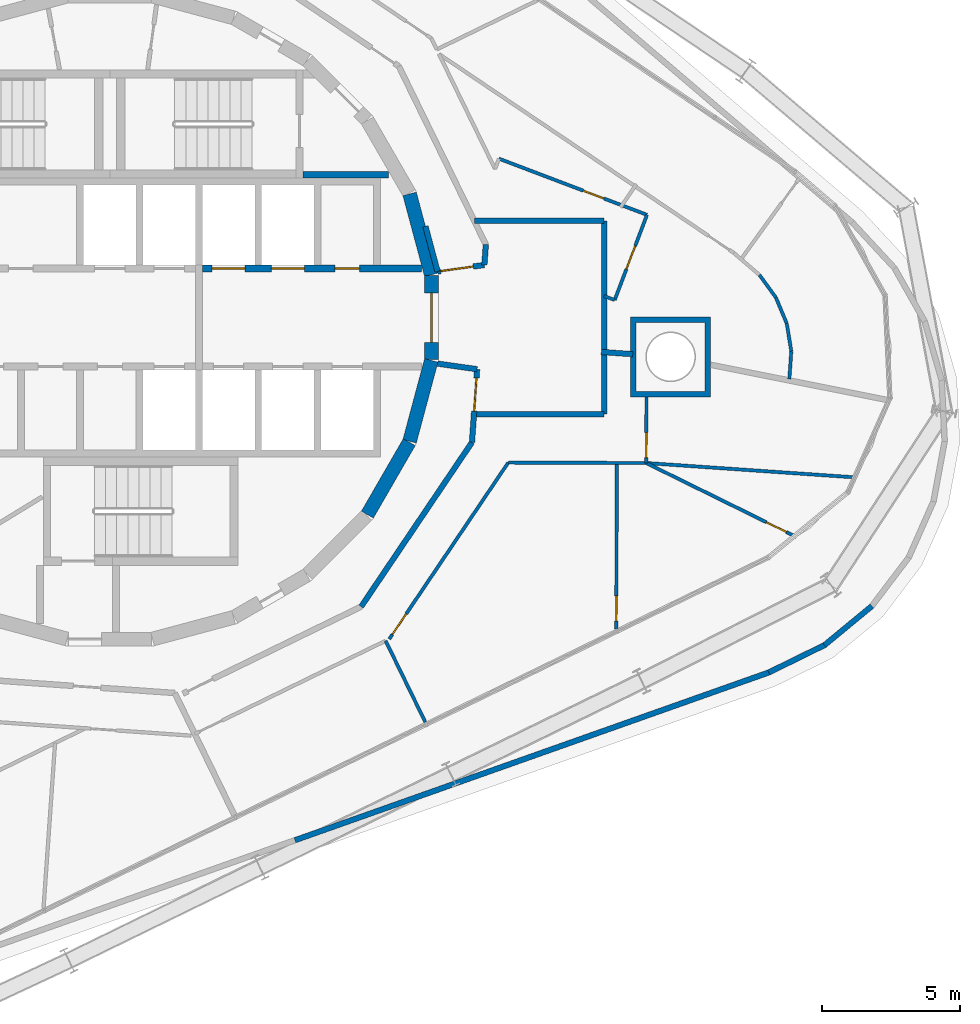
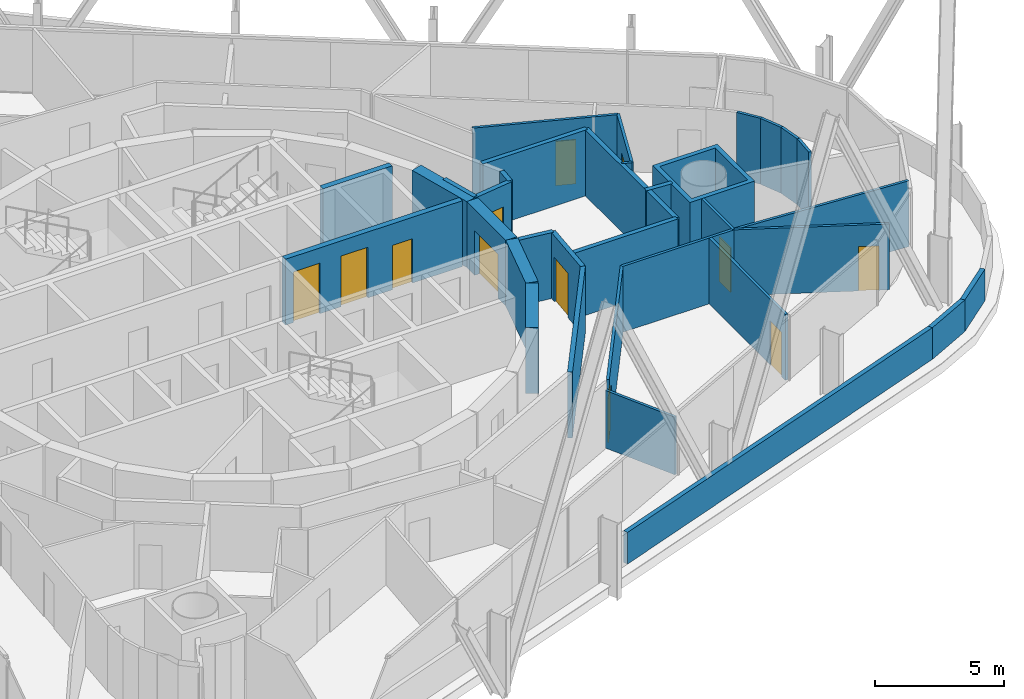
# One storey, part 14 of 18: 34 walls, 12 doors, 12 openings.
"""IFC4 building model written with IfcOpenShell, lengths in metres."""

from ifc_helpers import new_model, si_unit, direction, frame, frame_2d, origin, place, context, subcontext, project, spatial, polyline, rectangle, outline, extrude, material, layer, layer_set, type_object, element, fill, save


model = new_model("IFC4")

# Units and contexts
model_context = context("Model", 3, precision=1e-05, world=origin(), true_north=direction((0.0, 1.0)))
body_context = subcontext(model_context, "Body", "Model", "MODEL_VIEW")
ifc_project = project(units=[si_unit("LENGTHUNIT", "METRE"), si_unit("AREAUNIT", "SQUARE_METRE"), si_unit("VOLUMEUNIT", "CUBIC_METRE"), si_unit("PLANEANGLEUNIT", "RADIAN"), si_unit("MASSUNIT", "GRAM", prefix="KILO")], contexts=[model_context])

# Site, building, storey
site_placement = place(None, origin())
site = spatial("IfcSite", under=ifc_project, at=site_placement, CompositionType="ELEMENT")
building_placement = place(site_placement, origin())
building = spatial("IfcBuilding", under=site, at=building_placement, Name="Spindle Arch Residences", CompositionType="ELEMENT")
storey_placement = place(building_placement, frame((0.0, 0.0, 188.39990234375)))
storey = spatial("IfcBuildingStorey", under=building, at=storey_placement, Name="L47", CompositionType="ELEMENT", Elevation=188.39990234375)

# Walls
ifc_material_1 = material(Name="Concrete C50/60", Category="concrete")
ifc_layer_1 = layer(ifc_material_1, 0.5)
ifc_layer_set_1 = layer_set([ifc_layer_1], Name="Core outline wall 500")
wall_type_1 = type_object("IfcWallType", Name="Core outline wall 500", PredefinedType="SHEAR", material=ifc_layer_set_1)
for number, where, z_axis, x_axis, name in (
    (1, (9.32861328125, -7.13671875, 0.0), (0.0, 0.0, 1.0), (0.500087131594, 0.865975092491, 0.0), "Core outline wall 4"),
    (2, (10.858154296875, -4.479248046875, 0.0), (0.0, 0.0, 1.0), (0.258734743916, 0.965948410781, 0.0), "Core outline wall 5"),
):
    element("IfcWall", number, at=place(storey_placement, frame(where, z_axis=z_axis, x_axis=x_axis)), inside=storey, type_object=wall_type_1, Name=name, PredefinedType="SHEAR", context=body_context, shape_type="SweptSolid", body=[
        extrude(rectangle(XDim=3.03271484375, YDim=0.5, at=frame_2d((1.516357421875, 0.0))), origin(), (0.0, 0.0, 1.0), 3.1201171875),
    ])

# Wall, opening, door
wall_1_placement = place(storey_placement, frame((11.647216796875, -1.516357421875, 0.0), z_axis=(0.0, 0.0, 1.0), x_axis=(0.0, 1.0, 0.0)))
wall_1 = element("IfcWall", 3, at=wall_1_placement, inside=storey, type_object=wall_type_1, Name="Core outline wall 6", PredefinedType="SHEAR", context=body_context, shape_type="SweptSolid", body=[
    extrude(rectangle(XDim=3.03271484375, YDim=0.5, at=frame_2d((1.516357421875, 0.0))), origin(), (0.0, 0.0, 1.0), 3.1201171875),
])
opening_1_placement = place(wall_1_placement, frame((0.6162109375, 0.0, 0.0)))
opening_1 = element("IfcOpeningElement", 4, at=opening_1_placement, cuts=wall_1, Name="Opening R5A0-FE01", PredefinedType="OPENING", context=body_context, shape_type="SweptSolid", body=[
    extrude(rectangle(XDim=1.800048828125, YDim=2.10009765625, at=frame_2d((0.89990234375, 1.050048828125))), frame((0.0, 0.260009765625, 0.0), z_axis=(0.0, -1.0, 0.0), x_axis=(1.0, 0.0, 0.0)), (0.0, 0.0, 1.0), 0.52001953125),
])
ifc_material_2 = material(Name="Steel, fire-resisting door", Category="steel")
door_type_1 = type_object("IfcDoorType", Name="Fire-lift lobby door 1800x2100", OperationType="DOUBLE_DOOR_SINGLE_SWING", PredefinedType="DOOR", material=ifc_material_2)
door_1_placement = place(opening_1_placement, origin())
door_1 = element("IfcDoor", 5, at=door_1_placement, inside=storey, type_object=door_type_1, Name="Fire-lift lobby door R5A0-FE01", OperationType="DOUBLE_DOOR_SINGLE_SWING", OverallHeight=2.10009765625, OverallWidth=1.800048828125, PredefinedType="DOOR", context=body_context, shape_type="SweptSolid", body=[
    extrude(rectangle(XDim=1.800048828125, YDim=2.10009765625, at=frame_2d((0.89990234375, 1.050048828125))), frame((0.0, 0.02490234375, 0.0), z_axis=(0.0, -1.0, 0.0), x_axis=(1.0, 0.0, 0.0)), (0.0, 0.0, 1.0), 0.050048828125),
])
fill(opening_1, door_1)

# Walls
wall_2_placement = place(storey_placement, frame((11.642822265625, 1.5498046875, 0.0), z_axis=(0.0, 0.0, 1.0), x_axis=(-0.258734743916, 0.965948410781, 0.0)))
element("IfcWall", 6, at=wall_2_placement, inside=storey, type_object=wall_type_1, Name="Core outline wall 7", PredefinedType="SHEAR", context=body_context, shape_type="SweptSolid", body=[
    extrude(rectangle(XDim=3.03271484375, YDim=0.5, at=frame_2d((1.516357421875, 0.0))), origin(), (0.0, 0.0, 1.0), 3.1201171875),
])
ifc_material_3 = material(Name="Calcium silicate block, plastered")
ifc_layer_2 = layer(ifc_material_3, 0.199951171875)
ifc_layer_set_2 = layer_set([ifc_layer_2], Name="Corridor wall 200")
wall_type_2 = type_object("IfcWallType", Name="Corridor wall 200", PredefinedType="STANDARD", material=ifc_layer_set_2)
wall_3_placement = place(storey_placement, frame((9.101318359375, -10.469970703125, 0.0), z_axis=(0.0, 0.0, 1.0), x_axis=(0.559195469534, 0.829035841718, 0.0)))
element("IfcWall", 7, at=wall_3_placement, inside=storey, type_object=wall_type_2, Name="Corridor wall R5A0-W020", PredefinedType="STANDARD", context=body_context, shape_type="SweptSolid", body=[
    extrude(rectangle(XDim=7.18115234375, YDim=0.199951171875, at=frame_2d((3.590576171875, 0.0))), origin(), (0.0, 0.0, 1.0), 3.1201171875),
])
ifc_material_4 = material(Name="Calcium silicate block, plastered")
ifc_layer_3 = layer(ifc_material_4, 0.199951171875)
ifc_layer_set_3 = layer_set([ifc_layer_3], Name="Fire-lift lobby bay wall 200")
wall_type_3 = type_object("IfcWallType", Name="Fire-lift lobby bay wall 200", PredefinedType="STANDARD", material=ifc_layer_set_3)
wall_4_placement = place(storey_placement, frame((11.8701171875, 1.668212890625, 0.0), z_axis=(0.0, 0.0, 1.0), x_axis=(-0.258836880648, 0.965921047093, 0.0)))
element("IfcWall", 8, at=wall_4_placement, inside=storey, type_object=wall_type_3, Name="Fire-lift lobby bay wall R5A0-W001", PredefinedType="STANDARD", context=body_context, shape_type="SweptSolid", body=[
    extrude(rectangle(XDim=1.695068359375, YDim=0.199951171875, at=frame_2d((0.84765625, 0.0))), origin(), (0.0, 0.0, 1.0), 3.1201171875),
])

# Wall, opening, door
wall_5_placement = place(storey_placement, frame((11.8701171875, 1.668212890625, 0.0), z_axis=(0.0, 0.0, 1.0), x_axis=(0.990271931984, 0.139145609792, 0.0)))
wall_5 = element("IfcWall", 9, at=wall_5_placement, inside=storey, type_object=wall_type_3, Name="Fire-lift lobby bay wall R5A0-W002", PredefinedType="STANDARD", context=body_context, shape_type="SweptSolid", body=[
    extrude(rectangle(XDim=1.71240234375, YDim=0.199951171875, at=frame_2d((0.856201171875, 0.0))), origin(), (0.0, 0.0, 1.0), 3.1201171875),
])
opening_2_placement = place(wall_5_placement, frame((0.110107421875, 0.0, 0.0)))
opening_2 = element("IfcOpeningElement", 10, at=opening_2_placement, cuts=wall_5, Name="Opening R5A0-CD01", PredefinedType="OPENING", context=body_context, shape_type="SweptSolid", body=[
    extrude(rectangle(XDim=1.199951171875, YDim=2.10009765625, at=frame_2d((0.60009765625, 1.050048828125))), frame((0.0, 0.10986328125, 0.0), z_axis=(0.0, -1.0, 0.0), x_axis=(1.0, 0.0, 0.0)), (0.0, 0.0, 1.0), 0.219970703125),
])
ifc_material_5 = material(Name="Steel, fire-resisting door", Category="steel")
door_type_2 = type_object("IfcDoorType", Name="Corridor division door 1200x2100", OperationType="NOTDEFINED", PredefinedType="DOOR", material=ifc_material_5)
door_2_placement = place(opening_2_placement, origin())
door_2 = element("IfcDoor", 11, at=door_2_placement, inside=storey, type_object=door_type_2, Name="Corridor division door R5A0-CD01", OperationType="DOUBLE_DOOR_SINGLE_SWING", OverallHeight=2.10009765625, OverallWidth=1.199951171875, PredefinedType="DOOR", context=body_context, shape_type="SweptSolid", body=[
    extrude(rectangle(XDim=1.199951171875, YDim=2.10009765625, at=frame_2d((0.60009765625, 1.050048828125))), frame((0.0, 0.02490234375, 0.0), z_axis=(0.0, -1.0, 0.0), x_axis=(1.0, 0.0, 0.0)), (0.0, 0.0, 1.0), 0.050048828125),
])
fill(opening_2, door_2)

# Wall
wall_6_placement = place(storey_placement, frame((13.56591796875, 1.906494140625, 0.0), z_axis=(0.0, 0.0, 1.0), x_axis=(0.07005495793, 0.997543133338, 0.0)))
element("IfcWall", 12, at=wall_6_placement, inside=storey, type_object=wall_type_3, Name="Fire-lift lobby bay wall R5A0-W003", PredefinedType="STANDARD", context=body_context, shape_type="SweptSolid", body=[
    extrude(rectangle(XDim=0.7421875, YDim=0.199951171875, at=frame_2d((0.37109375, 0.0))), origin(), (0.0, 0.0, 1.0), 3.1201171875),
])

# Wall, opening, door
wall_7_placement = place(storey_placement, frame((13.116943359375, -4.5166015625, 0.0), z_axis=(0.0, 0.0, 1.0), x_axis=(0.069736659613, 0.997565435601, 0.0)))
wall_7 = element("IfcWall", 13, at=wall_7_placement, inside=storey, type_object=wall_type_3, Name="Fire-lift lobby bay wall R5A0-W013", PredefinedType="STANDARD", context=body_context, shape_type="SweptSolid", body=[
    extrude(rectangle(XDim=2.653564453125, YDim=0.199951171875, at=frame_2d((1.32666015625, 0.0))), origin(), (0.0, 0.0, 1.0), 3.1201171875),
])
opening_3_placement = place(wall_7_placement, frame((1.134033203125, 0.0, 0.0)))
opening_3 = element("IfcOpeningElement", 14, at=opening_3_placement, cuts=wall_7, Name="Opening R5A0-CD02", PredefinedType="OPENING", context=body_context, shape_type="SweptSolid", body=[
    extrude(rectangle(XDim=1.199951171875, YDim=2.10009765625, at=frame_2d((0.60009765625, 1.050048828125))), frame((0.0, 0.10986328125, 0.0), z_axis=(0.0, -1.0, 0.0), x_axis=(1.0, 0.0, 0.0)), (0.0, 0.0, 1.0), 0.219970703125),
])
door_3_placement = place(opening_3_placement, origin())
door_3 = element("IfcDoor", 15, at=door_3_placement, inside=storey, type_object=door_type_2, Name="Corridor division door R5A0-CD02", OperationType="DOUBLE_DOOR_SINGLE_SWING", OverallHeight=2.10009765625, OverallWidth=1.199951171875, PredefinedType="DOOR", context=body_context, shape_type="SweptSolid", body=[
    extrude(rectangle(XDim=1.199951171875, YDim=2.10009765625, at=frame_2d((0.60009765625, 1.050048828125))), frame((0.0, 0.02490234375, 0.0), z_axis=(0.0, -1.0, 0.0), x_axis=(1.0, 0.0, 0.0)), (0.0, 0.0, 1.0), 0.050048828125),
])
fill(opening_3, door_3)

# Walls
wall_8_placement = place(storey_placement, frame((13.302001953125, -1.869384765625, 0.0), z_axis=(0.0, 0.0, 1.0), x_axis=(-0.990274397042, 0.13912806533, 0.0)))
element("IfcWall", 16, at=wall_8_placement, inside=storey, type_object=wall_type_3, Name="Fire-lift lobby bay wall R5A0-W014", PredefinedType="STANDARD", context=body_context, shape_type="SweptSolid", body=[
    extrude(rectangle(XDim=1.446044921875, YDim=0.199951171875, at=frame_2d((0.72314453125, 0.0))), origin(), (0.0, 0.0, 1.0), 3.1201171875),
])
wall_9_placement = place(storey_placement, frame((17.89990234375, -3.5, 0.0), z_axis=(0.0, 0.0, 1.0), x_axis=(0.0, 1.0, 0.0)))
element("IfcWall", 17, at=wall_9_placement, inside=storey, type_object=wall_type_3, Name="Fire-lift lobby bay wall R5A0-W024", PredefinedType="STANDARD", context=body_context, shape_type="SweptSolid", body=[
    extrude(rectangle(XDim=7.0, YDim=0.199951171875, at=frame_2d((3.5, 0.0))), origin(), (0.0, 0.0, 1.0), 3.1201171875),
])
wall_10_placement = place(storey_placement, frame((17.89990234375, 3.5, 0.0), z_axis=(0.0, 0.0, 1.0), x_axis=(-1.0, 0.0, 0.0)))
element("IfcWall", 18, at=wall_10_placement, inside=storey, type_object=wall_type_3, Name="Fire-lift lobby bay wall R5A0-W025", PredefinedType="STANDARD", context=body_context, shape_type="SweptSolid", body=[
    extrude(rectangle(XDim=4.697998046875, YDim=0.199951171875, at=frame_2d((2.34912109375, 0.0))), origin(), (0.0, 0.0, 1.0), 3.1201171875),
])
wall_11_placement = place(storey_placement, frame((13.18798828125, -3.5, 0.0), z_axis=(0.0, 0.0, 1.0), x_axis=(1.0, 0.0, 0.0)))
element("IfcWall", 19, at=wall_11_placement, inside=storey, type_object=wall_type_3, Name="Fire-lift lobby bay wall R5A0-W026", PredefinedType="STANDARD", context=body_context, shape_type="SweptSolid", body=[
    extrude(rectangle(XDim=4.7119140625, YDim=0.199951171875, at=frame_2d((2.35595703125, 0.0))), origin(), (0.0, 0.0, 1.0), 3.1201171875),
])

# Wall, openings, doors
ifc_material_6 = material(Name="Concrete C40/50", Category="concrete")
ifc_layer_4 = layer(ifc_material_6, 0.25)
ifc_layer_set_4 = layer_set([ifc_layer_4], Name="Fire-lift lobby wall 250")
wall_type_4 = type_object("IfcWallType", Name="Fire-lift lobby wall 250", PredefinedType="SHEAR", material=ifc_layer_set_4)
wall_12_placement = place(storey_placement, frame((3.35009765625, 1.77490234375, 0.0), z_axis=(0.0, 0.0, 1.0), x_axis=(1.0, 0.0, 0.0)))
wall_12 = element("IfcWall", 20, at=wall_12_placement, inside=storey, type_object=wall_type_4, Name="Lift shaft front wall NE", PredefinedType="SHEAR", context=body_context, shape_type="SweptSolid", body=[
    extrude(rectangle(XDim=7.929931640625, YDim=0.25, at=frame_2d((3.96484375, 0.0))), origin(), (0.0, 0.0, 1.0), 3.1201171875),
])
opening_4_placement = place(wall_12_placement, frame((0.35009765625, 0.0, 0.0)))
opening_4 = element("IfcOpeningElement", 21, at=opening_4_placement, cuts=wall_12, Name="Opening R5A0-SLD01", PredefinedType="OPENING", context=body_context, shape_type="SweptSolid", body=[
    extrude(rectangle(XDim=1.199951171875, YDim=2.39990234375, at=frame_2d((0.60009765625, 1.199951171875))), frame((0.0, 0.135009765625, 0.0), z_axis=(0.0, -1.0, 0.0), x_axis=(1.0, 0.0, 0.0)), (0.0, 0.0, 1.0), 0.27001953125),
])
opening_5_placement = place(wall_12_placement, frame((2.5, 0.0, 0.0)))
opening_5 = element("IfcOpeningElement", 22, at=opening_5_placement, cuts=wall_12, Name="Opening R5A0-SLD02", PredefinedType="OPENING", context=body_context, shape_type="SweptSolid", body=[
    extrude(rectangle(XDim=1.199951171875, YDim=2.39990234375, at=frame_2d((0.60009765625, 1.199951171875))), frame((0.0, 0.135009765625, 0.0), z_axis=(0.0, -1.0, 0.0), x_axis=(1.0, 0.0, 0.0)), (0.0, 0.0, 1.0), 0.27001953125),
])
opening_6_placement = place(wall_12_placement, frame((4.800048828125, 0.0, 0.0)))
opening_6 = element("IfcOpeningElement", 23, at=opening_6_placement, cuts=wall_12, Name="Opening R5A0-WD03", PredefinedType="OPENING", context=body_context, shape_type="SweptSolid", body=[
    extrude(rectangle(XDim=0.89990234375, YDim=2.10009765625, at=frame_2d((0.449951171875, 1.050048828125))), frame((0.0, 0.135009765625, 0.0), z_axis=(0.0, -1.0, 0.0), x_axis=(1.0, 0.0, 0.0)), (0.0, 0.0, 1.0), 0.27001953125),
])
ifc_material_7 = material(Name="Steel, fire-resisting landing door", Category="steel")
door_type_3 = type_object("IfcDoorType", Name="Service lift landing door 1200x2400", OperationType="DOUBLE_DOOR_SLIDING", PredefinedType="DOOR", material=ifc_material_7)
door_4_placement = place(opening_4_placement, origin())
door_4 = element("IfcDoor", 24, at=door_4_placement, inside=storey, type_object=door_type_3, Name="Service lift landing door R5A0-SLD01", OperationType="DOUBLE_DOOR_SLIDING", OverallHeight=2.39990234375, OverallWidth=1.199951171875, PredefinedType="DOOR", context=body_context, shape_type="SweptSolid", body=[
    extrude(rectangle(XDim=1.199951171875, YDim=2.39990234375, at=frame_2d((0.60009765625, 1.199951171875))), frame((0.0, 0.02490234375, 0.0), z_axis=(0.0, -1.0, 0.0), x_axis=(1.0, 0.0, 0.0)), (0.0, 0.0, 1.0), 0.050048828125),
])
fill(opening_4, door_4)
door_5_placement = place(opening_5_placement, origin())
door_5 = element("IfcDoor", 25, at=door_5_placement, inside=storey, type_object=door_type_3, Name="Service lift landing door R5A0-SLD02", OperationType="DOUBLE_DOOR_SLIDING", OverallHeight=2.39990234375, OverallWidth=1.199951171875, PredefinedType="DOOR", context=body_context, shape_type="SweptSolid", body=[
    extrude(rectangle(XDim=1.199951171875, YDim=2.39990234375, at=frame_2d((0.60009765625, 1.199951171875))), frame((0.0, 0.02490234375, 0.0), z_axis=(0.0, -1.0, 0.0), x_axis=(1.0, 0.0, 0.0)), (0.0, 0.0, 1.0), 0.050048828125),
])
fill(opening_5, door_5)
ifc_material_8 = material(Name="Steel, fire-resisting door", Category="steel")
door_type_4 = type_object("IfcDoorType", Name="Service room door 900x2100", OperationType="SINGLE_SWING_LEFT", PredefinedType="DOOR", material=ifc_material_8)
door_6_placement = place(opening_6_placement, origin())
door_6 = element("IfcDoor", 26, at=door_6_placement, inside=storey, type_object=door_type_4, Name="Service room door R5A0-WD03", OperationType="SINGLE_SWING_LEFT", OverallHeight=2.10009765625, OverallWidth=0.89990234375, PredefinedType="DOOR", context=body_context, shape_type="SweptSolid", body=[
    extrude(rectangle(XDim=0.89990234375, YDim=2.10009765625, at=frame_2d((0.449951171875, 1.050048828125))), frame((0.0, 0.02490234375, 0.0), z_axis=(0.0, -1.0, 0.0), x_axis=(1.0, 0.0, 0.0)), (0.0, 0.0, 1.0), 0.050048828125),
])
fill(opening_6, door_6)

# Wall
ifc_material_9 = material(Name="Plasterboard on steel studs", Category="steel")
ifc_layer_5 = layer(ifc_material_9, 0.1201171875)
ifc_layer_set_5 = layer_set([ifc_layer_5], Name="Flat partition 120")
wall_type_5 = type_object("IfcWallType", Name="Flat partition 120", PredefinedType="PARTITIONING", material=ifc_layer_set_5)
wall_13_placement = place(storey_placement, frame((17.89990234375, 0.782958984375, 0.0), z_axis=(0.0, 0.0, 1.0), x_axis=(0.93513272442, -0.354297597677, 0.0)))
element("IfcWall", 27, at=wall_13_placement, inside=storey, type_object=wall_type_5, Name="Flat partition R5A0-W036", PredefinedType="PARTITIONING", context=body_context, shape_type="SweptSolid", body=[
    extrude(rectangle(XDim=0.412841796875, YDim=0.1201171875, at=frame_2d((0.20654296875, 0.0))), origin(), (0.0, 0.0, 1.0), 3.1201171875),
])

# Wall, opening, door
wall_14_placement = place(storey_placement, frame((18.285888671875, 0.63671875, 0.0), z_axis=(0.0, 0.0, 1.0), x_axis=(0.354672075988, 0.934990758518, 0.0)))
wall_14 = element("IfcWall", 28, at=wall_14_placement, inside=storey, type_object=wall_type_5, Name="Flat partition R5A0-W037", PredefinedType="PARTITIONING", context=body_context, shape_type="SweptSolid", body=[
    extrude(rectangle(XDim=3.300048828125, YDim=0.1201171875, at=frame_2d((1.64990234375, 0.0))), origin(), (0.0, 0.0, 1.0), 3.1201171875),
])
opening_7_placement = place(wall_14_placement, frame((1.199951171875, 0.0, 0.0)))
opening_7 = element("IfcOpeningElement", 29, at=opening_7_placement, cuts=wall_14, Name="Opening R5A0-ID01", PredefinedType="OPENING", context=body_context, shape_type="SweptSolid", body=[
    extrude(rectangle(XDim=0.89990234375, YDim=2.10009765625, at=frame_2d((0.449951171875, 1.050048828125))), frame((0.0, 0.070068359375, 0.0), z_axis=(0.0, -1.0, 0.0), x_axis=(1.0, 0.0, 0.0)), (0.0, 0.0, 1.0), 0.14013671875),
])
ifc_material_10 = material(Name="Timber door set", Category="wood")
door_type_5 = type_object("IfcDoorType", Name="Room door 900x2100", OperationType="NOTDEFINED", PredefinedType="DOOR", material=ifc_material_10)
door_7_placement = place(opening_7_placement, origin())
door_7 = element("IfcDoor", 30, at=door_7_placement, inside=storey, type_object=door_type_5, Name="Room door R5A0-ID01", OperationType="SINGLE_SWING_LEFT", OverallHeight=2.10009765625, OverallWidth=0.89990234375, PredefinedType="DOOR", context=body_context, shape_type="SweptSolid", body=[
    extrude(rectangle(XDim=0.89990234375, YDim=2.10009765625, at=frame_2d((0.449951171875, 1.050048828125))), frame((0.0, 0.02490234375, 0.0), z_axis=(0.0, -1.0, 0.0), x_axis=(1.0, 0.0, 0.0)), (0.0, 0.0, 1.0), 0.050048828125),
])
fill(opening_7, door_7)

wall_15_placement = place(storey_placement, frame((19.456298828125, 3.72216796875, 0.0), z_axis=(0.0, 0.0, 1.0), x_axis=(-0.935017484321, 0.3546016131, 0.0)))
wall_15 = element("IfcWall", 31, at=wall_15_placement, inside=storey, type_object=wall_type_5, Name="Flat partition R5A0-W038", PredefinedType="PARTITIONING", context=body_context, shape_type="SweptSolid", body=[
    extrude(rectangle(XDim=5.734375, YDim=0.1201171875, at=frame_2d((2.8671875, 0.0))), origin(), (0.0, 0.0, 1.0), 3.1201171875),
])
opening_8_placement = place(wall_15_placement, frame((1.66943359375, 0.0, 0.0)))
opening_8 = element("IfcOpeningElement", 32, at=opening_8_placement, cuts=wall_15, Name="Opening R5A0-BD01", PredefinedType="OPENING", context=body_context, shape_type="SweptSolid", body=[
    extrude(rectangle(XDim=0.800048828125, YDim=2.10009765625, at=frame_2d((0.39990234375, 1.050048828125))), frame((0.0, 0.070068359375, 0.0), z_axis=(0.0, -1.0, 0.0), x_axis=(1.0, 0.0, 0.0)), (0.0, 0.0, 1.0), 0.14013671875),
])
ifc_material_11 = material(Name="Timber door set", Category="wood")
door_type_6 = type_object("IfcDoorType", Name="Bathroom door 800x2100", OperationType="NOTDEFINED", PredefinedType="DOOR", material=ifc_material_11)
door_8_placement = place(opening_8_placement, origin())
door_8 = element("IfcDoor", 33, at=door_8_placement, inside=storey, type_object=door_type_6, Name="Bathroom door R5A0-BD01", OperationType="SINGLE_SWING_LEFT", OverallHeight=2.10009765625, OverallWidth=0.800048828125, PredefinedType="DOOR", context=body_context, shape_type="SweptSolid", body=[
    extrude(rectangle(XDim=0.800048828125, YDim=2.10009765625, at=frame_2d((0.39990234375, 1.050048828125))), frame((0.0, 0.02490234375, 0.0), z_axis=(0.0, -1.0, 0.0), x_axis=(1.0, 0.0, 0.0)), (0.0, 0.0, 1.0), 0.050048828125),
])
fill(opening_8, door_8)

# Walls
wall_16_placement = place(storey_placement, frame((23.529296875, 1.545166015625, 0.0), z_axis=(0.0, 0.0, 1.0), x_axis=(0.587742994292, -0.809047694923, 0.0)))
element("IfcWall", 34, at=wall_16_placement, inside=storey, type_object=wall_type_5, Name="Flat partition R5A0-W044", PredefinedType="PARTITIONING", context=body_context, shape_type="SweptSolid", body=[
    extrude(rectangle(XDim=1.01611328125, YDim=0.1201171875, at=frame_2d((0.508056640625, 0.0))), origin(), (0.0, 0.0, 1.0), 3.1201171875),
])
for number, where, z_axis, x_axis, name in (
    (35, (24.12646484375, 0.72314453125, 0.0), (0.0, 0.0, 1.0), (0.385229603205, -0.922820758769, 0.0), "Flat partition R5A0-W045"),
    (36, (24.517822265625, -0.21435546875, 0.0), (0.0, 0.0, 1.0), (0.162216216616, -0.986755237669, 0.0), "Flat partition R5A0-W046"),
    (37, (24.6826171875, -1.216796875, 0.0), (0.0, 0.0, 1.0), (-0.069692812564, -0.997568499842, 0.0), "Flat partition R5A0-W047"),
):
    element("IfcWall", number, at=place(storey_placement, frame(where, z_axis=z_axis, x_axis=x_axis)), inside=storey, type_object=wall_type_5, Name=name, PredefinedType="PARTITIONING", context=body_context, shape_type="SweptSolid", body=[
        extrude(rectangle(XDim=1.015869140625, YDim=0.1201171875, at=frame_2d((0.5078125, 0.0))), origin(), (0.0, 0.0, 1.0), 3.1201171875),
    ])

# Wall, opening, door
wall_17_placement = place(storey_placement, frame((10.1201171875, -11.641845703125, 0.0), z_axis=(0.0, 0.0, 1.0), x_axis=(0.559201404667, 0.829031838362, 0.0)))
wall_17 = element("IfcWall", 38, at=wall_17_placement, inside=storey, type_object=wall_type_5, Name="Flat partition R5A0-W099", PredefinedType="PARTITIONING", context=body_context, shape_type="SweptSolid", body=[
    extrude(rectangle(XDim=7.708740234375, YDim=0.1201171875, at=frame_2d((3.8544921875, 0.0))), origin(), (0.0, 0.0, 1.0), 3.1201171875),
])
opening_9_placement = place(wall_17_placement, frame((0.199951171875, 0.0, 0.0)))
opening_9 = element("IfcOpeningElement", 39, at=opening_9_placement, cuts=wall_17, Name="Opening R5A0-ID25", PredefinedType="OPENING", context=body_context, shape_type="SweptSolid", body=[
    extrude(rectangle(XDim=0.89990234375, YDim=2.10009765625, at=frame_2d((0.449951171875, 1.050048828125))), frame((0.0, 0.070068359375, 0.0), z_axis=(0.0, -1.0, 0.0), x_axis=(1.0, 0.0, 0.0)), (0.0, 0.0, 1.0), 0.14013671875),
])
door_9_placement = place(opening_9_placement, origin())
door_9 = element("IfcDoor", 40, at=door_9_placement, inside=storey, type_object=door_type_5, Name="Room door R5A0-ID25", OperationType="SINGLE_SWING_RIGHT", OverallHeight=2.10009765625, OverallWidth=0.89990234375, PredefinedType="DOOR", context=body_context, shape_type="SweptSolid", body=[
    extrude(rectangle(XDim=0.89990234375, YDim=2.10009765625, at=frame_2d((0.449951171875, 1.050048828125))), frame((0.0, 0.02490234375, 0.0), z_axis=(0.0, -1.0, 0.0), x_axis=(1.0, 0.0, 0.0)), (0.0, 0.0, 1.0), 0.050048828125),
])
fill(opening_9, door_9)

# Wall
wall_18_placement = place(storey_placement, frame((14.430908203125, -5.2509765625, 0.0), z_axis=(0.0, 0.0, 1.0), x_axis=(0.999994153659, -0.003419451456, 0.0)))
element("IfcWall", 41, at=wall_18_placement, inside=storey, type_object=wall_type_5, Name="Flat partition R5A0-W100", PredefinedType="PARTITIONING", context=body_context, shape_type="SweptSolid", body=[
    extrude(rectangle(XDim=4.997802734375, YDim=0.1201171875, at=frame_2d((2.4990234375, 0.0))), origin(), (0.0, 0.0, 1.0), 3.1201171875),
])

# Wall, opening, door
wall_19_placement = place(storey_placement, frame((19.4287109375, -5.26806640625, 0.0), z_axis=(0.0, 0.0, 1.0), x_axis=(0.003360127656, 0.999994354755, 0.0)))
wall_19 = element("IfcWall", 42, at=wall_19_placement, inside=storey, type_object=wall_type_5, Name="Flat partition R5A0-W101", PredefinedType="PARTITIONING", context=body_context, shape_type="SweptSolid", body=[
    extrude(rectangle(XDim=2.397705078125, YDim=0.1201171875, at=frame_2d((1.19873046875, 0.0))), origin(), (0.0, 0.0, 1.0), 3.1201171875),
])
opening_10_placement = place(wall_19_placement, frame((0.199951171875, 0.0, 0.0)))
opening_10 = element("IfcOpeningElement", 43, at=opening_10_placement, cuts=wall_19, Name="Opening R5A0-ID26", PredefinedType="OPENING", context=body_context, shape_type="SweptSolid", body=[
    extrude(rectangle(XDim=0.89990234375, YDim=2.10009765625, at=frame_2d((0.449951171875, 1.050048828125))), frame((0.0, 0.070068359375, 0.0), z_axis=(0.0, -1.0, 0.0), x_axis=(1.0, 0.0, 0.0)), (0.0, 0.0, 1.0), 0.14013671875),
])
door_10_placement = place(opening_10_placement, origin())
door_10 = element("IfcDoor", 44, at=door_10_placement, inside=storey, type_object=door_type_5, Name="Room door R5A0-ID26", OperationType="SINGLE_SWING_RIGHT", OverallHeight=2.10009765625, OverallWidth=0.89990234375, PredefinedType="DOOR", context=body_context, shape_type="SweptSolid", body=[
    extrude(rectangle(XDim=0.89990234375, YDim=2.10009765625, at=frame_2d((0.449951171875, 1.050048828125))), frame((0.0, 0.02490234375, 0.0), z_axis=(0.0, -1.0, 0.0), x_axis=(1.0, 0.0, 0.0)), (0.0, 0.0, 1.0), 0.050048828125),
])
fill(opening_10, door_10)

wall_20_placement = place(storey_placement, frame((18.342529296875, -11.28173828125, 0.0), z_axis=(0.0, 0.0, 1.0), x_axis=(0.003448675073, 0.999994053302, 0.0)))
wall_20 = element("IfcWall", 45, at=wall_20_placement, inside=storey, type_object=wall_type_5, Name="Flat partition R5A0-W103", PredefinedType="PARTITIONING", context=body_context, shape_type="SweptSolid", body=[
    extrude(rectangle(XDim=6.017333984375, YDim=0.1201171875, at=frame_2d((3.0087890625, 0.0))), origin(), (0.0, 0.0, 1.0), 3.1201171875),
])
opening_11_placement = place(wall_20_placement, frame((0.300048828125, 0.0, 0.0)))
opening_11 = element("IfcOpeningElement", 46, at=opening_11_placement, cuts=wall_20, Name="Opening R5A0-ID27", PredefinedType="OPENING", context=body_context, shape_type="SweptSolid", body=[
    extrude(rectangle(XDim=0.89990234375, YDim=2.10009765625, at=frame_2d((0.449951171875, 1.050048828125))), frame((0.0, 0.070068359375, 0.0), z_axis=(0.0, -1.0, 0.0), x_axis=(1.0, 0.0, 0.0)), (0.0, 0.0, 1.0), 0.14013671875),
])
door_11_placement = place(opening_11_placement, origin())
door_11 = element("IfcDoor", 47, at=door_11_placement, inside=storey, type_object=door_type_5, Name="Room door R5A0-ID27", OperationType="SINGLE_SWING_RIGHT", OverallHeight=2.10009765625, OverallWidth=0.89990234375, PredefinedType="DOOR", context=body_context, shape_type="SweptSolid", body=[
    extrude(rectangle(XDim=0.89990234375, YDim=2.10009765625, at=frame_2d((0.449951171875, 1.050048828125))), frame((0.0, 0.02490234375, 0.0), z_axis=(0.0, -1.0, 0.0), x_axis=(1.0, 0.0, 0.0)), (0.0, 0.0, 1.0), 0.050048828125),
])
fill(opening_11, door_11)

wall_21_placement = place(storey_placement, frame((24.860595703125, -7.94287109375, 0.0), z_axis=(0.0, 0.0, 1.0), x_axis=(-0.897128390861, 0.441769906525, 0.0)))
wall_21 = element("IfcWall", 48, at=wall_21_placement, inside=storey, type_object=wall_type_5, Name="Flat partition R5A0-W104", PredefinedType="PARTITIONING", context=body_context, shape_type="SweptSolid", body=[
    extrude(rectangle(XDim=6.0546875, YDim=0.1201171875, at=frame_2d((3.02734375, 0.0))), origin(), (0.0, 0.0, 1.0), 3.1201171875),
])
opening_12_placement = place(wall_21_placement, frame((0.39990234375, 0.0, 0.0)))
opening_12 = element("IfcOpeningElement", 49, at=opening_12_placement, cuts=wall_21, Name="Opening R5A0-BD06", PredefinedType="OPENING", context=body_context, shape_type="SweptSolid", body=[
    extrude(rectangle(XDim=0.800048828125, YDim=2.10009765625, at=frame_2d((0.39990234375, 1.050048828125))), frame((0.0, 0.070068359375, 0.0), z_axis=(0.0, -1.0, 0.0), x_axis=(1.0, 0.0, 0.0)), (0.0, 0.0, 1.0), 0.14013671875),
])
door_12_placement = place(opening_12_placement, origin())
door_12 = element("IfcDoor", 50, at=door_12_placement, inside=storey, type_object=door_type_6, Name="Bathroom door R5A0-BD06", OperationType="SINGLE_SWING_RIGHT", OverallHeight=2.10009765625, OverallWidth=0.800048828125, PredefinedType="DOOR", context=body_context, shape_type="SweptSolid", body=[
    extrude(rectangle(XDim=0.800048828125, YDim=2.10009765625, at=frame_2d((0.39990234375, 1.050048828125))), frame((0.0, 0.02490234375, 0.0), z_axis=(0.0, -1.0, 0.0), x_axis=(1.0, 0.0, 0.0)), (0.0, 0.0, 1.0), 0.050048828125),
])
fill(opening_12, door_12)

# Walls
wall_22_placement = place(storey_placement, frame((26.96142578125, -5.78515625, 0.0), z_axis=(0.0, 0.0, 1.0), x_axis=(-0.997652165985, 0.068484711466, 0.0)))
element("IfcWall", 51, at=wall_22_placement, inside=storey, type_object=wall_type_5, Name="Flat partition R5A0-W105", PredefinedType="PARTITIONING", context=body_context, shape_type="SweptSolid", body=[
    extrude(rectangle(XDim=7.550537109375, YDim=0.1201171875, at=frame_2d((3.775390625, 0.0))), origin(), (0.0, 0.0, 1.0), 3.1201171875),
])
ifc_material_12 = material(Name="Plasterboard on steel studs", Category="steel")
ifc_layer_6 = layer(ifc_material_12, 0.1201171875)
ifc_layer_set_6 = layer_set([ifc_layer_6], Name="Flat partition 120 under beam 2730")
wall_type_6 = type_object("IfcWallType", Name="Flat partition 120 under beam 2730", PredefinedType="PARTITIONING", material=ifc_layer_set_6)
wall_23_placement = place(storey_placement, frame((11.427490234375, -14.654296875, 0.0), z_axis=(0.0, 0.0, 1.0), x_axis=(-0.438410435857, 0.898774882677, 0.0)))
element("IfcWall", 52, at=wall_23_placement, inside=storey, type_object=wall_type_6, Name="Flat partition R5A0-W102", PredefinedType="PARTITIONING", context=body_context, shape_type="SweptSolid", body=[
    extrude(rectangle(XDim=3.280517578125, YDim=0.1201171875, at=frame_2d((1.64013671875, 0.0))), origin(), (0.0, 0.0, 1.0), 2.72998046875),
])
ifc_material_13 = material(Name="Calcium silicate block, plastered")
ifc_layer_7 = layer(ifc_material_13, 0.199951171875)
ifc_layer_set_7 = layer_set([ifc_layer_7], Name="Flat party wall 200")
wall_type_7 = type_object("IfcWallType", Name="Flat party wall 200", PredefinedType="STANDARD", material=ifc_layer_set_7)
wall_24_placement = place(storey_placement, frame((17.80029296875, -1.24560546875, 0.0), z_axis=(0.0, 0.0, 1.0), x_axis=(0.997562681713, -0.069776042122, 0.0)))
element("IfcWall", 53, at=wall_24_placement, inside=storey, type_object=wall_type_7, Name="Flat party wall R5A0-W029", PredefinedType="STANDARD", context=body_context, shape_type="SweptSolid", body=[
    extrude(rectangle(XDim=1.14404296875, YDim=0.199951171875, at=frame_2d((0.572021484375, 0.0))), origin(), (0.0, 0.0, 1.0), 3.1201171875),
])
ifc_material_14 = material(Name="Calcium silicate block, plastered")
ifc_layer_8 = layer(ifc_material_14, 0.199951171875)
ifc_layer_set_8 = layer_set([ifc_layer_8], Name="Mega-column casing wall 200")
wall_type_8 = type_object("IfcWallType", Name="Mega-column casing wall 200", PredefinedType="STANDARD", material=ifc_layer_set_8)
wall_25_placement = place(storey_placement, origin())
element("IfcWall", 54, at=wall_25_placement, inside=storey, type_object=wall_type_8, Name="Mega-column casing wall R5A0-WC03", PredefinedType="STANDARD", context=body_context, shape_type="SweptSolid", body=[
    extrude(outline(polyline([(21.761962890625, 0.02978515625), (21.761962890625, -2.870361328125), (18.86181640625, -2.870361328125), (18.86181640625, 0.02978515625), (21.761962890625, 0.02978515625)]), holes=[polyline([(19.06201171875, -2.67041015625), (21.56201171875, -2.67041015625), (21.56201171875, -0.17041015625), (19.06201171875, -0.17041015625), (19.06201171875, -2.67041015625)])]), origin(), (0.0, 0.0, 1.0), 3.1201171875),
])
ifc_material_15 = material(Name="Concrete C40/50", Category="concrete")
ifc_layer_9 = layer(ifc_material_15, 0.199951171875)
ifc_layer_set_9 = layer_set([ifc_layer_9], Name="Roof parapet 1500")
wall_type_9 = type_object("IfcWallType", Name="Roof parapet 1500", PredefinedType="PARAPET", material=ifc_layer_set_9)
wall_26_placement = place(storey_placement, frame((27.60400390625, -10.446533203125, 0.030029296875), z_axis=(0.0, 0.0, 1.0), x_axis=(-0.771613891472, -0.636091190386, 0.0)))
element("IfcWall", 55, at=wall_26_placement, inside=storey, type_object=wall_type_9, Name="Roof parapet L46 1.29", PredefinedType="PARAPET", context=body_context, shape_type="SweptSolid", body=[
    extrude(rectangle(XDim=2.228515625, YDim=0.199951171875, at=frame_2d((1.1142578125, 0.0))), origin(), (0.0, 0.0, 1.0), 1.5),
])
wall_27_placement = place(storey_placement, frame((25.894287109375, -11.857666015625, 0.030029296875), z_axis=(0.0, 0.0, 1.0), x_axis=(-0.897498758366, -0.441016982361, 0.0)))
element("IfcWall", 56, at=wall_27_placement, inside=storey, type_object=wall_type_9, Name="Roof parapet L46 1.30", PredefinedType="PARAPET", context=body_context, shape_type="SweptSolid", body=[
    extrude(rectangle(XDim=2.257568359375, YDim=0.199951171875, at=frame_2d((1.12890625, 0.0))), origin(), (0.0, 0.0, 1.0), 1.5),
])
wall_28_placement = place(storey_placement, frame((23.87353515625, -12.850830078125, 0.030029296875), z_axis=(0.0, 0.0, 1.0), x_axis=(-0.942641899569, -0.33380570573, 0.0)))
element("IfcWall", 57, at=wall_28_placement, inside=storey, type_object=wall_type_9, Name="Roof parapet L46 1.31", PredefinedType="PARAPET", context=body_context, shape_type="SweptSolid", body=[
    extrude(rectangle(XDim=18.21435546875, YDim=0.199951171875, at=frame_2d((9.107177734375, 0.0))), origin(), (0.0, 0.0, 1.0), 1.5),
])
ifc_material_16 = material(Name="Concrete C40/50", Category="concrete")
ifc_layer_10 = layer(ifc_material_16, 0.25)
ifc_layer_set_10 = layer_set([ifc_layer_10], Name="Stair airlock wall 250")
wall_type_10 = type_object("IfcWallType", Name="Stair airlock wall 250", PredefinedType="SHEAR", material=ifc_layer_set_10)
wall_29_placement = place(storey_placement, frame((7.0, 5.175048828125, 0.0), z_axis=(0.0, 0.0, 1.0), x_axis=(1.0, 0.0, 0.0)))
element("IfcWall", 58, at=wall_29_placement, inside=storey, type_object=wall_type_10, Name="Stair ST-1 airlock wall S", PredefinedType="SHEAR", context=body_context, shape_type="SweptSolid", body=[
    extrude(rectangle(XDim=3.10009765625, YDim=0.25, at=frame_2d((1.550048828125, 0.0))), origin(), (0.0, 0.0, 1.0), 3.1201171875),
])

save(model, "model.ifc")
